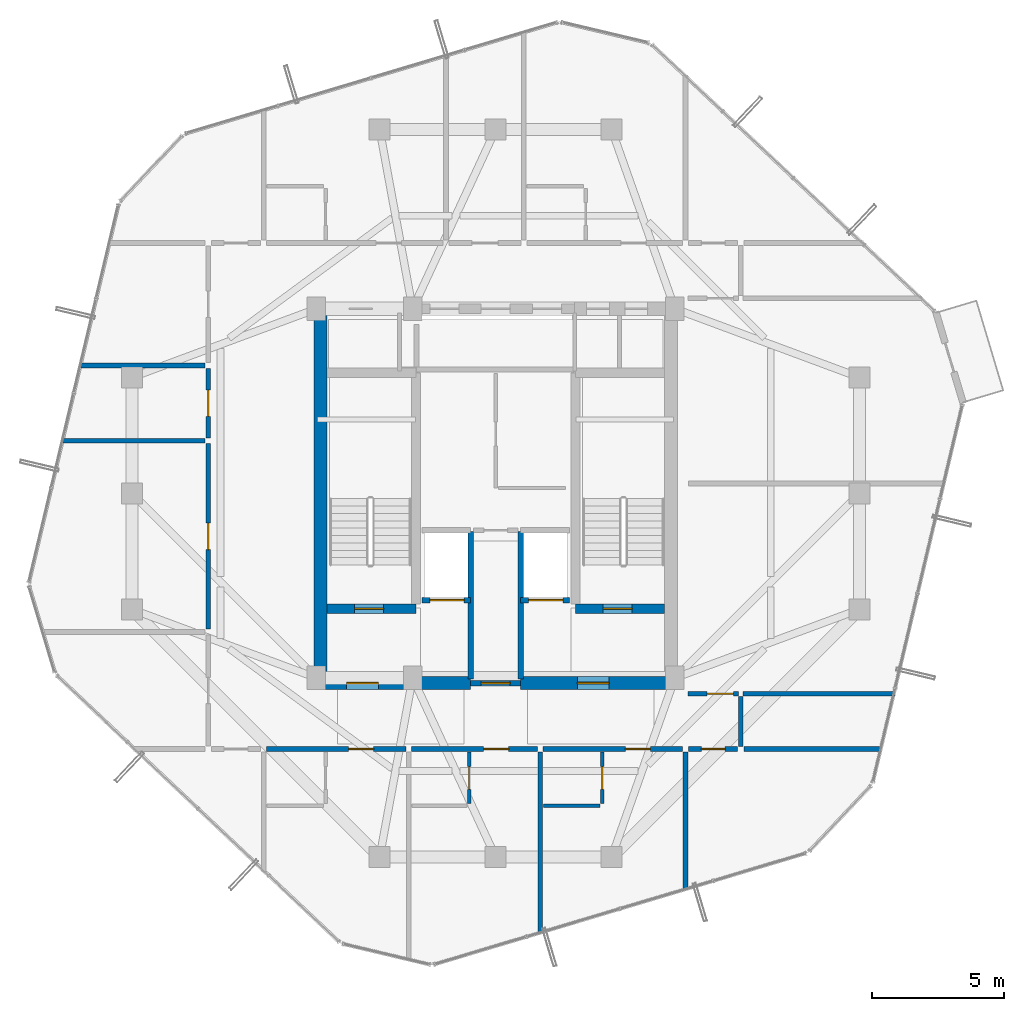
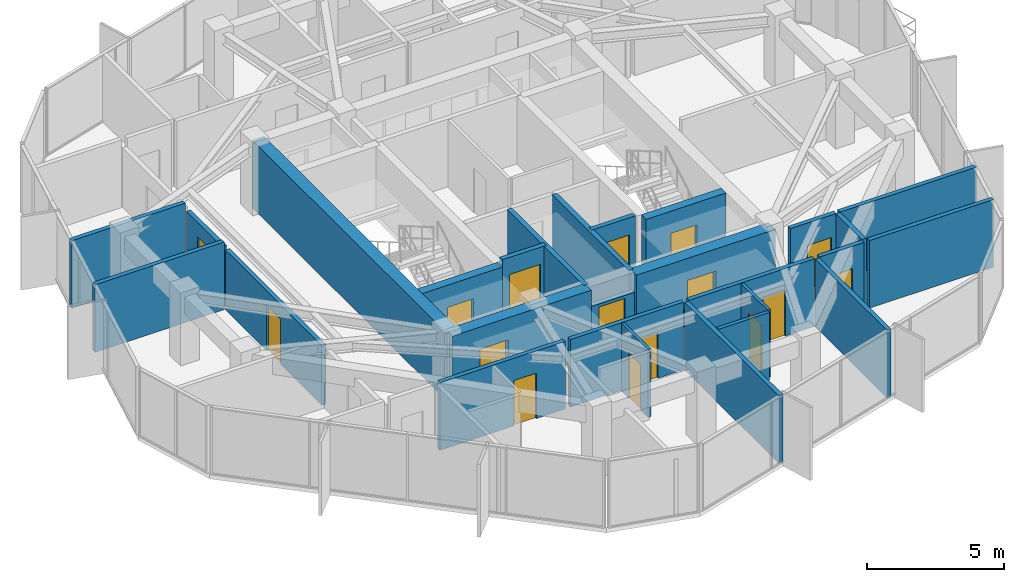
# One storey, part 24 of 28: 27 walls, 16 doors, 16 openings.
"""IFC4 building model written with IfcOpenShell, lengths in metres."""

from ifc_helpers import new_model, si_unit, direction, frame, frame_2d, origin, place, context, subcontext, project, spatial, rectangle, extrude, source, transform, mapped, material, layer, layer_set, type_object, element, fill, save


model = new_model("IFC4")

# Units and contexts
model_context = context("Model", 3, precision=1e-05, world=origin(), true_north=direction((0.0, 1.0)))
body_context = subcontext(model_context, "Body", "Model", "MODEL_VIEW")
ifc_project = project(units=[si_unit("LENGTHUNIT", "METRE"), si_unit("AREAUNIT", "SQUARE_METRE"), si_unit("VOLUMEUNIT", "CUBIC_METRE"), si_unit("PLANEANGLEUNIT", "RADIAN"), si_unit("MASSUNIT", "GRAM", prefix="KILO")], contexts=[model_context])

# Site, building, storey
site_placement = place(None, origin())
site = spatial("IfcSite", under=ifc_project, at=site_placement, CompositionType="ELEMENT")
building_placement = place(site_placement, origin())
building = spatial("IfcBuilding", under=site, at=building_placement, Name="Veraguas Prism Commons", CompositionType="ELEMENT")
storey_placement = place(building_placement, frame((0.0, 0.0, 254.5)))
storey = spatial("IfcBuildingStorey", under=building, at=storey_placement, Name="L72", CompositionType="ELEMENT", Elevation=254.5)

# Wall, opening, door
ifc_material_1 = material(Name="Concrete C50/60", Category="concrete")
ifc_layer_1 = layer(ifc_material_1, 0.35009765625, Name="Core Internal Shear Wall Upper RC 350", Category="concrete")
ifc_layer_set_1 = layer_set([ifc_layer_1], Name="Concrete C50/60")
wall_type_1 = type_object("IfcWallType", Name="Core Internal Shear Wall Upper RC 350", PredefinedType="SHEAR", material=ifc_layer_set_1)
wall_1_placement = place(storey_placement, frame((17.60009765625, 19.625, 0.0), z_axis=(0.0, 0.0, 1.0), x_axis=(1.0, 0.0, 0.0)))
wall_1 = element("IfcWall", 1, at=wall_1_placement, inside=storey, type_object=wall_type_1, Name="Stair ST-01 South Shear Wall L72", PredefinedType="SHEAR", context=body_context, shape_type="SweptSolid", body=[
    extrude(rectangle(XDim=3.375, YDim=0.35009765625, at=frame_2d((1.6875, 0.0))), origin(), (0.0, 0.0, 1.0), 3.014892578125),
])
opening_1_placement = place(wall_1_placement, frame((1.050048828125, 0.0, 0.0)))
opening_1 = element("IfcOpeningElement", 2, at=opening_1_placement, cuts=wall_1, Name="Opening DR-05", PredefinedType="OPENING", context=body_context, shape_type="SweptSolid", body=[
    extrude(rectangle(XDim=1.10009765625, YDim=2.030029296875, at=frame_2d((0.550048828125, 1.01513671875))), frame((0.0, 0.18505859375, 0.0), z_axis=(0.0, -1.0, 0.0), x_axis=(1.0, 0.0, 0.0)), (0.0, 0.0, 1.0), 0.3701171875),
])
ifc_material_2 = material(Name="Steel fire-rated door assembly", Category="steel")
door_type_1 = type_object("IfcDoorType", Name="Protected Stair and Refuge Fire Door 1100x2030", OperationType="NOTDEFINED", PredefinedType="DOOR", material=ifc_material_2)
shared_shape_1 = source(origin(), body_context, "Body", "SweptSolid", [
    extrude(rectangle(XDim=1.10009765625, YDim=2.030029296875, at=frame_2d((0.550048828125, 1.01513671875))), frame((0.0, 0.02490234375, 0.0), z_axis=(0.0, -1.0, 0.0), x_axis=(1.0, 0.0, 0.0)), (0.0, 0.0, 1.0), 0.050048828125),
])
door_1_placement = place(opening_1_placement, origin())
door_1 = element("IfcDoor", 3, at=door_1_placement, inside=storey, type_object=door_type_1, Name="Stair ST-01 Enclosure Door L72", OperationType="SINGLE_SWING_LEFT", OverallHeight=2.030029296875, OverallWidth=1.10009765625, PredefinedType="DOOR", context=body_context, shape_type="MappedRepresentation", body=[
    mapped(shared_shape_1, transform((0.0, 0.0, 0.0), scale=1.0)),
])
fill(opening_1, door_1)

wall_2_placement = place(storey_placement, frame((27.02490234375, 19.625, 0.0), z_axis=(0.0, 0.0, 1.0), x_axis=(1.0, 0.0, 0.0)))
wall_2 = element("IfcWall", 4, at=wall_2_placement, inside=storey, type_object=wall_type_1, Name="Stair ST-02 South Shear Wall L72", PredefinedType="SHEAR", context=body_context, shape_type="SweptSolid", body=[
    extrude(rectangle(XDim=3.375, YDim=0.35009765625, at=frame_2d((1.6875, 0.0))), origin(), (0.0, 0.0, 1.0), 3.014892578125),
])
opening_2_placement = place(wall_2_placement, frame((1.050048828125, 0.0, 0.0)))
opening_2 = element("IfcOpeningElement", 5, at=opening_2_placement, cuts=wall_2, Name="Opening DR-05", PredefinedType="OPENING", context=body_context, shape_type="SweptSolid", body=[
    extrude(rectangle(XDim=1.10009765625, YDim=2.030029296875, at=frame_2d((0.550048828125, 1.01513671875))), frame((0.0, 0.18505859375, 0.0), z_axis=(0.0, -1.0, 0.0), x_axis=(1.0, 0.0, 0.0)), (0.0, 0.0, 1.0), 0.3701171875),
])
door_2_placement = place(opening_2_placement, origin())
door_2 = element("IfcDoor", 6, at=door_2_placement, inside=storey, type_object=door_type_1, Name="Stair ST-02 Enclosure Door L72", OperationType="SINGLE_SWING_RIGHT", OverallHeight=2.030029296875, OverallWidth=1.10009765625, PredefinedType="DOOR", context=body_context, shape_type="MappedRepresentation", body=[
    mapped(shared_shape_1, transform((0.0, 0.0, 0.0), scale=1.0)),
])
fill(opening_2, door_2)

# Wall
ifc_layer_2 = layer(ifc_material_1, 0.5, Name="Core Outer Shear Wall Upper RC 500", Category="concrete")
ifc_layer_set_2 = layer_set([ifc_layer_2], Name="Concrete C50/60")
wall_type_2 = type_object("IfcWallType", Name="Core Outer Shear Wall Upper RC 500", PredefinedType="SHEAR", material=ifc_layer_set_2)
wall_3_placement = place(storey_placement, frame((17.35009765625, 16.800048828125, 0.0), z_axis=(0.0, 0.0, 1.0), x_axis=(0.0, 1.0, 0.0)))
element("IfcWall", 7, at=wall_3_placement, inside=storey, type_object=wall_type_2, Name="Central Core West Shear Wall L72", PredefinedType="SHEAR", context=body_context, shape_type="SweptSolid", body=[
    extrude(rectangle(XDim=14.199951171875, YDim=0.5, at=frame_2d((7.10009765625, 0.0))), origin(), (0.0, 0.0, 1.0), 3.014892578125),
])

# Wall, opening, door
wall_4_placement = place(storey_placement, frame((17.199951171875, 16.800048828125, 0.0), z_axis=(0.0, 0.0, 1.0), x_axis=(1.0, 0.0, 0.0)))
wall_4 = element("IfcWall", 8, at=wall_4_placement, inside=storey, type_object=wall_type_2, Name="Central Core South-West Shear Wall L72", PredefinedType="SHEAR", context=body_context, shape_type="SweptSolid", body=[
    extrude(rectangle(XDim=5.85009765625, YDim=0.5, at=frame_2d((2.925048828125, 0.0))), origin(), (0.0, 0.0, 1.0), 3.014892578125),
])
opening_3_placement = place(wall_4_placement, frame((1.14990234375, 0.0, 0.0)))
opening_3 = element("IfcOpeningElement", 9, at=opening_3_placement, cuts=wall_4, Name="Opening DR-06", PredefinedType="OPENING", context=body_context, shape_type="SweptSolid", body=[
    extrude(rectangle(XDim=1.199951171875, YDim=2.030029296875, at=frame_2d((0.60009765625, 1.01513671875))), frame((0.0, 0.260009765625, 0.0), z_axis=(0.0, -1.0, 0.0), x_axis=(1.0, 0.0, 0.0)), (0.0, 0.0, 1.0), 0.52001953125),
])
door_type_2 = type_object("IfcDoorType", Name="Firefighting Lobby Smoke Door 1200x2030", OperationType="NOTDEFINED", PredefinedType="DOOR", material=ifc_material_2)
shared_shape_2 = source(origin(), body_context, "Body", "SweptSolid", [
    extrude(rectangle(XDim=1.199951171875, YDim=2.030029296875, at=frame_2d((0.60009765625, 1.01513671875))), frame((0.0, 0.02490234375, 0.0), z_axis=(0.0, -1.0, 0.0), x_axis=(1.0, 0.0, 0.0)), (0.0, 0.0, 1.0), 0.050048828125),
])
door_3_placement = place(opening_3_placement, origin())
door_3 = element("IfcDoor", 10, at=door_3_placement, inside=storey, type_object=door_type_2, Name="West FF Lobby Door L72", OperationType="SINGLE_SWING_LEFT", OverallHeight=2.030029296875, OverallWidth=1.199951171875, PredefinedType="DOOR", context=body_context, shape_type="MappedRepresentation", body=[
    mapped(shared_shape_2, transform((0.0, 0.0, 0.0), scale=1.0)),
])
fill(opening_3, door_3)

wall_5_placement = place(storey_placement, frame((24.949951171875, 16.800048828125, 0.0), z_axis=(0.0, 0.0, 1.0), x_axis=(1.0, 0.0, 0.0)))
wall_5 = element("IfcWall", 11, at=wall_5_placement, inside=storey, type_object=wall_type_2, Name="Central Core South-East Shear Wall L72", PredefinedType="SHEAR", context=body_context, shape_type="SweptSolid", body=[
    extrude(rectangle(XDim=5.85009765625, YDim=0.5, at=frame_2d((2.925048828125, 0.0))), origin(), (0.0, 0.0, 1.0), 3.014892578125),
])
opening_4_placement = place(wall_5_placement, frame((2.14990234375, 0.0, 0.0)))
opening_4 = element("IfcOpeningElement", 12, at=opening_4_placement, cuts=wall_5, Name="Opening DR-06", PredefinedType="OPENING", context=body_context, shape_type="SweptSolid", body=[
    extrude(rectangle(XDim=1.199951171875, YDim=2.030029296875, at=frame_2d((0.60009765625, 1.01513671875))), frame((0.0, 0.260009765625, 0.0), z_axis=(0.0, -1.0, 0.0), x_axis=(1.0, 0.0, 0.0)), (0.0, 0.0, 1.0), 0.52001953125),
])
door_4_placement = place(opening_4_placement, origin())
door_4 = element("IfcDoor", 13, at=door_4_placement, inside=storey, type_object=door_type_2, Name="East FF Lobby Door L72", OperationType="SINGLE_SWING_LEFT", OverallHeight=2.030029296875, OverallWidth=1.199951171875, PredefinedType="DOOR", context=body_context, shape_type="MappedRepresentation", body=[
    mapped(shared_shape_2, transform((0.0, 0.0, 0.0), scale=1.0)),
])
fill(opening_4, door_4)

# Wall
ifc_material_3 = material(Name="Autoclaved aerated masonry block 10 MPa", Category="masonry")
ifc_layer_3 = layer(ifc_material_3, 0.179931640625, Name="Corridor and Inter-Tenancy Partition 180", Category="masonry")
ifc_layer_set_3 = layer_set([ifc_layer_3], Name="Autoclaved aerated masonry block 10 MPa")
wall_type_3 = type_object("IfcWallType", Name="Corridor and Inter-Tenancy Partition 180", PredefinedType="PARTITIONING", material=ifc_layer_set_3)
wall_6_placement = place(storey_placement, frame((31.199951171875, 14.179931640625, 0.0), z_axis=(0.0, 0.0, 1.0), x_axis=(0.0, -1.0, 0.0)))
element("IfcWall", 14, at=wall_6_placement, inside=storey, type_object=wall_type_3, Name="WL-L72-PT002", PredefinedType="PARTITIONING", context=body_context, shape_type="SweptSolid", body=[
    extrude(rectangle(XDim=5.232177734375, YDim=0.179931640625, at=frame_2d((2.6162109375, 0.0))), origin(), (0.0, 0.0, 1.0), 3.014892578125),
])

# Wall, opening, door
wall_7_placement = place(storey_placement, frame((15.31005859375, 14.300048828125, 0.0), z_axis=(0.0, 0.0, 1.0), x_axis=(1.0, 0.0, 0.0)))
wall_7 = element("IfcWall", 15, at=wall_7_placement, inside=storey, type_object=wall_type_3, Name="WL-L72-PT003", PredefinedType="PARTITIONING", context=body_context, shape_type="SweptSolid", body=[
    extrude(rectangle(XDim=5.284912109375, YDim=0.179931640625, at=frame_2d((2.642578125, 0.0))), origin(), (0.0, 0.0, 1.0), 3.014892578125),
])
opening_5_placement = place(wall_7_placement, frame((3.11181640625, 0.0, 0.0)))
opening_5 = element("IfcOpeningElement", 16, at=opening_5_placement, cuts=wall_7, Name="Opening DR-01", PredefinedType="OPENING", context=body_context, shape_type="SweptSolid", body=[
    extrude(rectangle(XDim=0.949951171875, YDim=2.02001953125, at=frame_2d((0.47509765625, 1.010009765625))), frame((0.0, 0.099853515625, 0.0), z_axis=(0.0, -1.0, 0.0), x_axis=(1.0, 0.0, 0.0)), (0.0, 0.0, 1.0), 0.199951171875),
])
ifc_material_4 = material(Name="Anodised aluminium EN AW-6063 T6", Category="aluminium")
door_type_3 = type_object("IfcDoorType", Name="Apartment Entrance Fire Door 950x2020", OperationType="NOTDEFINED", PredefinedType="DOOR", material=ifc_material_4)
shared_shape_3 = source(origin(), body_context, "Body", "SweptSolid", [
    extrude(rectangle(XDim=0.949951171875, YDim=2.02001953125, at=frame_2d((0.47509765625, 1.010009765625))), frame((0.0, 0.02490234375, 0.0), z_axis=(0.0, -1.0, 0.0), x_axis=(1.0, 0.0, 0.0)), (0.0, 0.0, 1.0), 0.050048828125),
])
door_5_placement = place(opening_5_placement, origin())
door_5 = element("IfcDoor", 17, at=door_5_placement, inside=storey, type_object=door_type_3, Name="Studio 72A Entrance Door", OperationType="SINGLE_SWING_LEFT", OverallHeight=2.02001953125, OverallWidth=0.949951171875, PredefinedType="DOOR", context=body_context, shape_type="MappedRepresentation", body=[
    mapped(shared_shape_3, transform((0.0, 0.0, 0.0), scale=1.0)),
])
fill(opening_5, door_5)

wall_8_placement = place(storey_placement, frame((20.81494140625, 14.300048828125, 0.0), z_axis=(0.0, 0.0, 1.0), x_axis=(1.0, 0.0, 0.0)))
wall_8 = element("IfcWall", 18, at=wall_8_placement, inside=storey, type_object=wall_type_3, Name="WL-L72-PT007", PredefinedType="PARTITIONING", context=body_context, shape_type="SweptSolid", body=[
    extrude(rectangle(XDim=4.77001953125, YDim=0.179931640625, at=frame_2d((2.385009765625, 0.0))), origin(), (0.0, 0.0, 1.0), 3.014892578125),
])
opening_6_placement = place(wall_8_placement, frame((2.730712890625, 0.0, 0.0)))
opening_6 = element("IfcOpeningElement", 19, at=opening_6_placement, cuts=wall_8, Name="Opening DR-01", PredefinedType="OPENING", context=body_context, shape_type="SweptSolid", body=[
    extrude(rectangle(XDim=0.949951171875, YDim=2.02001953125, at=frame_2d((0.47509765625, 1.010009765625))), frame((0.0, 0.099853515625, 0.0), z_axis=(0.0, -1.0, 0.0), x_axis=(1.0, 0.0, 0.0)), (0.0, 0.0, 1.0), 0.199951171875),
])
door_6_placement = place(opening_6_placement, origin())
door_6 = element("IfcDoor", 20, at=door_6_placement, inside=storey, type_object=door_type_3, Name="Studio 72B Entrance Door", OperationType="SINGLE_SWING_LEFT", OverallHeight=2.02001953125, OverallWidth=0.949951171875, PredefinedType="DOOR", context=body_context, shape_type="MappedRepresentation", body=[
    mapped(shared_shape_3, transform((0.0, 0.0, 0.0), scale=1.0)),
])
fill(opening_6, door_6)

# Wall
wall_9_placement = place(storey_placement, frame((25.695068359375, 14.179931640625, 0.0), z_axis=(0.0, 0.0, 1.0), x_axis=(0.0, -1.0, 0.0)))
element("IfcWall", 21, at=wall_9_placement, inside=storey, type_object=wall_type_3, Name="WL-L72-PT010", PredefinedType="PARTITIONING", context=body_context, shape_type="SweptSolid", body=[
    extrude(rectangle(XDim=6.879638671875, YDim=0.179931640625, at=frame_2d((3.43994140625, 0.0))), origin(), (0.0, 0.0, 1.0), 3.014892578125),
])

# Wall, opening, door
wall_10_placement = place(storey_placement, frame((25.804931640625, 14.300048828125, 0.0), z_axis=(0.0, 0.0, 1.0), x_axis=(1.0, 0.0, 0.0)))
wall_10 = element("IfcWall", 22, at=wall_10_placement, inside=storey, type_object=wall_type_3, Name="WL-L72-PT011", PredefinedType="PARTITIONING", context=body_context, shape_type="SweptSolid", body=[
    extrude(rectangle(XDim=5.28515625, YDim=0.179931640625, at=frame_2d((2.642578125, 0.0))), origin(), (0.0, 0.0, 1.0), 3.014892578125),
])
opening_7_placement = place(wall_10_placement, frame((3.11181640625, 0.0, 0.0)))
opening_7 = element("IfcOpeningElement", 23, at=opening_7_placement, cuts=wall_10, Name="Opening DR-01", PredefinedType="OPENING", context=body_context, shape_type="SweptSolid", body=[
    extrude(rectangle(XDim=0.949951171875, YDim=2.02001953125, at=frame_2d((0.47509765625, 1.010009765625))), frame((0.0, 0.099853515625, 0.0), z_axis=(0.0, -1.0, 0.0), x_axis=(1.0, 0.0, 0.0)), (0.0, 0.0, 1.0), 0.199951171875),
])
door_7_placement = place(opening_7_placement, origin())
door_7 = element("IfcDoor", 24, at=door_7_placement, inside=storey, type_object=door_type_3, Name="Studio 72C Entrance Door", OperationType="SINGLE_SWING_LEFT", OverallHeight=2.02001953125, OverallWidth=0.949951171875, PredefinedType="DOOR", context=body_context, shape_type="MappedRepresentation", body=[
    mapped(shared_shape_3, transform((0.0, 0.0, 0.0), scale=1.0)),
])
fill(opening_7, door_7)

wall_11_placement = place(storey_placement, frame((13.10009765625, 18.85400390625, 0.0), z_axis=(0.0, 0.0, 1.0), x_axis=(0.0, 1.0, 0.0)))
wall_11 = element("IfcWall", 25, at=wall_11_placement, inside=storey, type_object=wall_type_3, Name="WL-L72-PT028", PredefinedType="PARTITIONING", context=body_context, shape_type="SweptSolid", body=[
    extrude(rectangle(XDim=7.030029296875, YDim=0.179931640625, at=frame_2d((3.51513671875, 0.0))), origin(), (0.0, 0.0, 1.0), 2.662109375),
])
opening_8_placement = place(wall_11_placement, frame((3.014892578125, 0.0, 0.0)))
opening_8 = element("IfcOpeningElement", 26, at=opening_8_placement, cuts=wall_11, Name="Opening DR-13", PredefinedType="OPENING", context=body_context, shape_type="SweptSolid", body=[
    extrude(rectangle(XDim=1.0, YDim=2.010009765625, at=frame_2d((0.5, 1.0048828125))), frame((0.0, 0.099853515625, 0.0), z_axis=(0.0, -1.0, 0.0), x_axis=(1.0, 0.0, 0.0)), (0.0, 0.0, 1.0), 0.199951171875),
])
door_type_4 = type_object("IfcDoorType", Name="Core Accessible WC and Clinic Fire Door 1000x2010", OperationType="NOTDEFINED", PredefinedType="DOOR", material=ifc_material_2)
shared_shape_4 = source(origin(), body_context, "Body", "SweptSolid", [
    extrude(rectangle(XDim=1.0, YDim=2.010009765625, at=frame_2d((0.5, 1.0048828125))), frame((0.0, 0.02490234375, 0.0), z_axis=(0.0, -1.0, 0.0), x_axis=(1.0, 0.0, 0.0)), (0.0, 0.0, 1.0), 0.050048828125),
])
door_8_placement = place(opening_8_placement, origin())
door_8 = element("IfcDoor", 27, at=door_8_placement, inside=storey, type_object=door_type_4, Name="Co-op Store W Door", OperationType="SINGLE_SWING_LEFT", OverallHeight=2.010009765625, OverallWidth=1.0, PredefinedType="DOOR", context=body_context, shape_type="MappedRepresentation", body=[
    mapped(shared_shape_4, transform((0.0, 0.0, 0.0), scale=1.0)),
])
fill(opening_8, door_8)

# Wall
wall_12_placement = place(storey_placement, frame((12.97998046875, 25.993896484375, 0.0), z_axis=(0.0, 0.0, 1.0), x_axis=(-1.0, 0.0, 0.0)))
element("IfcWall", 28, at=wall_12_placement, inside=storey, type_object=wall_type_3, Name="WL-L72-PT030", PredefinedType="PARTITIONING", context=body_context, shape_type="SweptSolid", body=[
    extrude(rectangle(XDim=5.44873046875, YDim=0.179931640625, at=frame_2d((2.724365234375, 0.0))), origin(), (0.0, 0.0, 1.0), 3.014892578125),
])

# Wall, opening, door
wall_13_placement = place(storey_placement, frame((13.10009765625, 26.10400390625, 0.0), z_axis=(0.0, 0.0, 1.0), x_axis=(0.0, 1.0, 0.0)))
wall_13 = element("IfcWall", 29, at=wall_13_placement, inside=storey, type_object=wall_type_3, Name="WL-L72-PT031", PredefinedType="PARTITIONING", context=body_context, shape_type="SweptSolid", body=[
    extrude(rectangle(XDim=2.632080078125, YDim=0.179931640625, at=frame_2d((1.31591796875, 0.0))), origin(), (0.0, 0.0, 1.0), 2.662109375),
])
opening_9_placement = place(wall_13_placement, frame((0.81591796875, 0.0, 0.0)))
opening_9 = element("IfcOpeningElement", 30, at=opening_9_placement, cuts=wall_13, Name="Opening DR-13", PredefinedType="OPENING", context=body_context, shape_type="SweptSolid", body=[
    extrude(rectangle(XDim=1.0, YDim=2.010009765625, at=frame_2d((0.5, 1.0048828125))), frame((0.0, 0.099853515625, 0.0), z_axis=(0.0, -1.0, 0.0), x_axis=(1.0, 0.0, 0.0)), (0.0, 0.0, 1.0), 0.199951171875),
])
door_9_placement = place(opening_9_placement, origin())
door_9 = element("IfcDoor", 31, at=door_9_placement, inside=storey, type_object=door_type_4, Name="Youth Homework Study Room Door", OperationType="SINGLE_SWING_RIGHT", OverallHeight=2.010009765625, OverallWidth=1.0, PredefinedType="DOOR", context=body_context, shape_type="MappedRepresentation", body=[
    mapped(shared_shape_4, transform((0.0, 0.0, 0.0), scale=1.0)),
])
fill(opening_9, door_9)

# Walls
wall_14_placement = place(storey_placement, frame((12.97998046875, 28.845947265625, 0.0), z_axis=(0.0, 0.0, 1.0), x_axis=(-1.0, 0.0, 0.0)))
element("IfcWall", 32, at=wall_14_placement, inside=storey, type_object=wall_type_3, Name="WL-L72-PT033", PredefinedType="PARTITIONING", context=body_context, shape_type="SweptSolid", body=[
    extrude(rectangle(XDim=4.7724609375, YDim=0.179931640625, at=frame_2d((2.38623046875, 0.0))), origin(), (0.0, 0.0, 1.0), 3.014892578125),
])
wall_15_placement = place(storey_placement, frame((33.300048828125, 14.39990234375, 0.0), z_axis=(0.0, 0.0, 1.0), x_axis=(0.0, 1.0, 0.0)))
element("IfcWall", 33, at=wall_15_placement, inside=storey, type_object=wall_type_3, Name="WL-L72-PT035", PredefinedType="PARTITIONING", context=body_context, shape_type="SweptSolid", body=[
    extrude(rectangle(XDim=1.900146484375, YDim=0.179931640625, at=frame_2d((0.9501953125, 0.0))), origin(), (0.0, 0.0, 1.0), 3.014892578125),
])

# Wall, opening, door
wall_16_placement = place(storey_placement, frame((31.300048828125, 16.39990234375, 0.0), z_axis=(0.0, 0.0, 1.0), x_axis=(1.0, 0.0, 0.0)))
wall_16 = element("IfcWall", 34, at=wall_16_placement, inside=storey, type_object=wall_type_3, Name="WL-L72-PT037", PredefinedType="PARTITIONING", context=body_context, shape_type="SweptSolid", body=[
    extrude(rectangle(XDim=1.919921875, YDim=0.179931640625, at=frame_2d((0.9599609375, 0.0))), origin(), (0.0, 0.0, 1.0), 3.014892578125),
])
opening_10_placement = place(wall_16_placement, frame((0.719970703125, 0.0, 0.0)))
opening_10 = element("IfcOpeningElement", 35, at=opening_10_placement, cuts=wall_16, Name="Opening DR-13", PredefinedType="OPENING", context=body_context, shape_type="SweptSolid", body=[
    extrude(rectangle(XDim=1.0, YDim=2.010009765625, at=frame_2d((0.5, 1.0048828125))), frame((0.0, 0.099853515625, 0.0), z_axis=(0.0, -1.0, 0.0), x_axis=(1.0, 0.0, 0.0)), (0.0, 0.0, 1.0), 0.199951171875),
])
door_10_placement = place(opening_10_placement, origin())
door_10 = element("IfcDoor", 36, at=door_10_placement, inside=storey, type_object=door_type_4, Name="Panorama Lounge Door L72", OperationType="SINGLE_SWING_RIGHT", OverallHeight=2.010009765625, OverallWidth=1.0, PredefinedType="DOOR", context=body_context, shape_type="MappedRepresentation", body=[
    mapped(shared_shape_4, transform((0.0, 0.0, 0.0), scale=1.0)),
])
fill(opening_10, door_10)

# Walls
wall_17_placement = place(storey_placement, frame((33.3798828125, 16.39990234375, 0.0), z_axis=(0.0, 0.0, 1.0), x_axis=(1.0, 0.0, 0.0)))
element("IfcWall", 37, at=wall_17_placement, inside=storey, type_object=wall_type_3, Name="WL-L72-PT038", PredefinedType="PARTITIONING", context=body_context, shape_type="SweptSolid", body=[
    extrude(rectangle(XDim=5.759521484375, YDim=0.179931640625, at=frame_2d((2.8798828125, 0.0))), origin(), (0.0, 0.0, 1.0), 3.014892578125),
])
wall_18_placement = place(storey_placement, frame((33.419921875, 14.300048828125, 0.0), z_axis=(0.0, 0.0, 1.0), x_axis=(1.0, 0.0, 0.0)))
element("IfcWall", 38, at=wall_18_placement, inside=storey, type_object=wall_type_3, Name="WL-L72-PT042", PredefinedType="PARTITIONING", context=body_context, shape_type="SweptSolid", body=[
    extrude(rectangle(XDim=5.221435546875, YDim=0.179931640625, at=frame_2d((2.61083984375, 0.0))), origin(), (0.0, 0.0, 1.0), 3.014892578125),
])

# Wall, opening, door
wall_19_placement = place(storey_placement, frame((31.320068359375, 14.300048828125, 0.0), z_axis=(0.0, 0.0, 1.0), x_axis=(1.0, 0.0, 0.0)))
wall_19 = element("IfcWall", 39, at=wall_19_placement, inside=storey, type_object=wall_type_3, Name="WL-L72-PT043", PredefinedType="PARTITIONING", context=body_context, shape_type="SweptSolid", body=[
    extrude(rectangle(XDim=1.85986328125, YDim=0.179931640625, at=frame_2d((0.929931640625, 0.0))), origin(), (0.0, 0.0, 1.0), 3.014892578125),
])
opening_11_placement = place(wall_19_placement, frame((0.47998046875, 0.0, 0.0)))
opening_11 = element("IfcOpeningElement", 40, at=opening_11_placement, cuts=wall_19, Name="Opening DR-14", PredefinedType="OPENING", context=body_context, shape_type="SweptSolid", body=[
    extrude(rectangle(XDim=0.89990234375, YDim=2.010009765625, at=frame_2d((0.449951171875, 1.0048828125))), frame((0.0, 0.099853515625, 0.0), z_axis=(0.0, -1.0, 0.0), x_axis=(1.0, 0.0, 0.0)), (0.0, 0.0, 1.0), 0.199951171875),
])
door_type_5 = type_object("IfcDoorType", Name="Core Service Room Fire Door 900x2010", OperationType="NOTDEFINED", PredefinedType="DOOR", material=ifc_material_2)
shared_shape_5 = source(origin(), body_context, "Body", "SweptSolid", [
    extrude(rectangle(XDim=0.89990234375, YDim=2.010009765625, at=frame_2d((0.449951171875, 1.0048828125))), frame((0.0, 0.02490234375, 0.0), z_axis=(0.0, -1.0, 0.0), x_axis=(1.0, 0.0, 0.0)), (0.0, 0.0, 1.0), 0.050048828125),
])
door_11_placement = place(opening_11_placement, origin())
door_11 = element("IfcDoor", 41, at=door_11_placement, inside=storey, type_object=door_type_5, Name="Corner Study SE Door", OperationType="SINGLE_SWING_LEFT", OverallHeight=2.010009765625, OverallWidth=0.89990234375, PredefinedType="DOOR", context=body_context, shape_type="MappedRepresentation", body=[
    mapped(shared_shape_5, transform((0.0, 0.0, 0.0), scale=1.0)),
])
fill(opening_11, door_11)

ifc_material_5 = material(Name="Lightweight acoustic gypsum board")
ifc_layer_4 = layer(ifc_material_5, 0.125, Name="Internal Apartment Room Partition 125")
ifc_layer_set_4 = layer_set([ifc_layer_4], Name="Lightweight acoustic gypsum board")
wall_type_4 = type_object("IfcWallType", Name="Internal Apartment Room Partition 125", PredefinedType="PARTITIONING", material=ifc_layer_set_4)
wall_20_placement = place(storey_placement, frame((23.0, 14.179931640625, 0.0), z_axis=(0.0, 0.0, 1.0), x_axis=(0.0, -1.0, 0.0)))
wall_20 = element("IfcWall", 42, at=wall_20_placement, inside=storey, type_object=wall_type_4, Name="WL-L72-PT008", PredefinedType="PARTITIONING", context=body_context, shape_type="SweptSolid", body=[
    extrude(rectangle(XDim=1.949951171875, YDim=0.125, at=frame_2d((0.97509765625, 0.0))), origin(), (0.0, 0.0, 1.0), 3.014892578125),
])
opening_12_placement = place(wall_20_placement, frame((0.544921875, 0.0, 0.0)))
opening_12 = element("IfcOpeningElement", 43, at=opening_12_placement, cuts=wall_20, Name="Opening DR-03", PredefinedType="OPENING", context=body_context, shape_type="SweptSolid", body=[
    extrude(rectangle(XDim=0.860107421875, YDim=2.010009765625, at=frame_2d((0.43017578125, 1.0048828125))), frame((0.0, 0.072509765625, 0.0), z_axis=(0.0, -1.0, 0.0), x_axis=(1.0, 0.0, 0.0)), (0.0, 0.0, 1.0), 0.14501953125),
])
ifc_material_6 = material(Name="Timber moisture-resistant leaf", Category="wood")
door_type_6 = type_object("IfcDoorType", Name="Internal Bathroom Door 860x2010", OperationType="NOTDEFINED", PredefinedType="DOOR", material=ifc_material_6)
shared_shape_6 = source(origin(), body_context, "Body", "SweptSolid", [
    extrude(rectangle(XDim=0.860107421875, YDim=2.010009765625, at=frame_2d((0.43017578125, 1.0048828125))), frame((0.0, 0.02490234375, 0.0), z_axis=(0.0, -1.0, 0.0), x_axis=(1.0, 0.0, 0.0)), (0.0, 0.0, 1.0), 0.050048828125),
])
door_12_placement = place(opening_12_placement, origin())
door_12 = element("IfcDoor", 44, at=door_12_placement, inside=storey, type_object=door_type_6, Name="Studio 72B Bathroom Door", OperationType="SINGLE_SWING_RIGHT", OverallHeight=2.010009765625, OverallWidth=0.860107421875, PredefinedType="DOOR", context=body_context, shape_type="MappedRepresentation", body=[
    mapped(shared_shape_6, transform((0.0, 0.0, 0.0), scale=1.0)),
])
fill(opening_12, door_12)

wall_21_placement = place(storey_placement, frame((28.044921875, 14.179931640625, 0.0), z_axis=(0.0, 0.0, 1.0), x_axis=(0.0, -1.0, 0.0)))
wall_21 = element("IfcWall", 45, at=wall_21_placement, inside=storey, type_object=wall_type_4, Name="WL-L72-PT012", PredefinedType="PARTITIONING", context=body_context, shape_type="SweptSolid", body=[
    extrude(rectangle(XDim=1.949951171875, YDim=0.125, at=frame_2d((0.97509765625, 0.0))), origin(), (0.0, 0.0, 1.0), 3.014892578125),
])
opening_13_placement = place(wall_21_placement, frame((0.544921875, 0.0, 0.0)))
opening_13 = element("IfcOpeningElement", 46, at=opening_13_placement, cuts=wall_21, Name="Opening DR-03", PredefinedType="OPENING", context=body_context, shape_type="SweptSolid", body=[
    extrude(rectangle(XDim=0.860107421875, YDim=2.010009765625, at=frame_2d((0.43017578125, 1.0048828125))), frame((0.0, 0.072509765625, 0.0), z_axis=(0.0, -1.0, 0.0), x_axis=(1.0, 0.0, 0.0)), (0.0, 0.0, 1.0), 0.14501953125),
])
door_13_placement = place(opening_13_placement, origin())
door_13 = element("IfcDoor", 47, at=door_13_placement, inside=storey, type_object=door_type_6, Name="Studio 72C Bathroom Door", OperationType="SINGLE_SWING_RIGHT", OverallHeight=2.010009765625, OverallWidth=0.860107421875, PredefinedType="DOOR", context=body_context, shape_type="MappedRepresentation", body=[
    mapped(shared_shape_6, transform((0.0, 0.0, 0.0), scale=1.0)),
])
fill(opening_13, door_13)

ifc_layer_5 = layer(ifc_material_3, 0.199951171875, Name="Rated Shaft and Lobby Block Wall 200", Category="masonry")
ifc_layer_set_5 = layer_set([ifc_layer_5], Name="Autoclaved aerated masonry block 10 MPa")
wall_type_5 = type_object("IfcWallType", Name="Rated Shaft and Lobby Block Wall 200", PredefinedType="SOLIDWALL", material=ifc_layer_set_5)
wall_22_placement = place(storey_placement, frame((23.050048828125, 16.800048828125, 0.0), z_axis=(0.0, 0.0, 1.0), x_axis=(1.0, 0.0, 0.0)))
wall_22 = element("IfcWall", 48, at=wall_22_placement, inside=storey, type_object=wall_type_5, Name="Central Core Lobby Entrance Wall L72", PredefinedType="SOLIDWALL", context=body_context, shape_type="SweptSolid", body=[
    extrude(rectangle(XDim=1.89990234375, YDim=0.199951171875, at=frame_2d((0.949951171875, 0.0))), origin(), (0.0, 0.0, 1.0), 2.1650390625),
])
opening_14_placement = place(wall_22_placement, frame((0.39990234375, 0.0, 0.0)))
opening_14 = element("IfcOpeningElement", 49, at=opening_14_placement, cuts=wall_22, Name="Opening DR-05", PredefinedType="OPENING", context=body_context, shape_type="SweptSolid", body=[
    extrude(rectangle(XDim=1.10009765625, YDim=2.030029296875, at=frame_2d((0.550048828125, 1.01513671875))), frame((0.0, 0.10986328125, 0.0), z_axis=(0.0, -1.0, 0.0), x_axis=(1.0, 0.0, 0.0)), (0.0, 0.0, 1.0), 0.219970703125),
])
door_14_placement = place(opening_14_placement, origin())
door_14 = element("IfcDoor", 50, at=door_14_placement, inside=storey, type_object=door_type_1, Name="Central Lobby Door L72", OperationType="SINGLE_SWING_RIGHT", OverallHeight=2.030029296875, OverallWidth=1.10009765625, PredefinedType="DOOR", context=body_context, shape_type="MappedRepresentation", body=[
    mapped(shared_shape_1, transform((0.0, 0.0, 0.0), scale=1.0)),
])
fill(opening_14, door_14)

wall_23_placement = place(storey_placement, frame((21.199951171875, 19.949951171875, 0.0), z_axis=(0.0, 0.0, 1.0), x_axis=(1.0, 0.0, 0.0)))
wall_23 = element("IfcWall", 51, at=wall_23_placement, inside=storey, type_object=wall_type_5, Name="Firefighting Lift FFL-1 Front Wall L72", PredefinedType="SOLIDWALL", context=body_context, shape_type="SweptSolid", body=[
    extrude(rectangle(XDim=1.85009765625, YDim=0.199951171875, at=frame_2d((0.925048828125, 0.0))), origin(), (0.0, 0.0, 1.0), 3.014892578125),
])
opening_15_placement = place(wall_23_placement, frame((0.300048828125, 0.0, 0.0)))
opening_15 = element("IfcOpeningElement", 52, at=opening_15_placement, cuts=wall_23, Name="Opening LD-02", PredefinedType="OPENING", context=body_context, shape_type="SweptSolid", body=[
    extrude(rectangle(XDim=1.300048828125, YDim=2.25, at=frame_2d((0.64990234375, 1.125))), frame((0.0, 0.10986328125, 0.0), z_axis=(0.0, -1.0, 0.0), x_axis=(1.0, 0.0, 0.0)), (0.0, 0.0, 1.0), 0.219970703125),
])
ifc_material_7 = material(Name="Stainless steel AISI 316", Category="steel")
door_type_7 = type_object("IfcDoorType", Name="Firefighting Lift Sliding Landing Door 1300x2250", OperationType="NOTDEFINED", PredefinedType="DOOR", material=ifc_material_7)
shared_shape_7 = source(origin(), body_context, "Body", "SweptSolid", [
    extrude(rectangle(XDim=1.300048828125, YDim=2.25, at=frame_2d((0.64990234375, 1.125))), frame((0.0, 0.02490234375, 0.0), z_axis=(0.0, -1.0, 0.0), x_axis=(1.0, 0.0, 0.0)), (0.0, 0.0, 1.0), 0.050048828125),
])
door_15_placement = place(opening_15_placement, origin())
door_15 = element("IfcDoor", 53, at=door_15_placement, inside=storey, type_object=door_type_7, Name="Firefighting Lift FFL-1 Landing Door L72", OperationType="SLIDING_TO_LEFT", OverallHeight=2.25, OverallWidth=1.300048828125, PredefinedType="DOOR", context=body_context, shape_type="MappedRepresentation", body=[
    mapped(shared_shape_7, transform((0.0, 0.0, 0.0), scale=1.0)),
])
fill(opening_15, door_15)

wall_24_placement = place(storey_placement, frame((24.949951171875, 19.949951171875, 0.0), z_axis=(0.0, 0.0, 1.0), x_axis=(1.0, 0.0, 0.0)))
wall_24 = element("IfcWall", 54, at=wall_24_placement, inside=storey, type_object=wall_type_5, Name="Firefighting Lift FFL-2 Front Wall L72", PredefinedType="SOLIDWALL", context=body_context, shape_type="SweptSolid", body=[
    extrude(rectangle(XDim=1.85009765625, YDim=0.199951171875, at=frame_2d((0.925048828125, 0.0))), origin(), (0.0, 0.0, 1.0), 3.014892578125),
])
opening_16_placement = place(wall_24_placement, frame((0.300048828125, 0.0, 0.0)))
opening_16 = element("IfcOpeningElement", 55, at=opening_16_placement, cuts=wall_24, Name="Opening LD-02", PredefinedType="OPENING", context=body_context, shape_type="SweptSolid", body=[
    extrude(rectangle(XDim=1.300048828125, YDim=2.25, at=frame_2d((0.64990234375, 1.125))), frame((0.0, 0.10986328125, 0.0), z_axis=(0.0, -1.0, 0.0), x_axis=(1.0, 0.0, 0.0)), (0.0, 0.0, 1.0), 0.219970703125),
])
door_16_placement = place(opening_16_placement, origin())
door_16 = element("IfcDoor", 56, at=door_16_placement, inside=storey, type_object=door_type_7, Name="Firefighting Lift FFL-2 Front Wall L72", OperationType="SLIDING_TO_LEFT", OverallHeight=2.25, OverallWidth=1.300048828125, PredefinedType="DOOR", context=body_context, shape_type="MappedRepresentation", body=[
    mapped(shared_shape_7, transform((0.0, 0.0, 0.0), scale=1.0)),
])
fill(opening_16, door_16)

# Walls
for number, where, z_axis, x_axis, name in (
    (57, (23.050048828125, 16.949951171875, 0.0), (0.0, 0.0, 1.0), (0.0, 1.0, 0.0), "West FF Lobby Divider Wall L72"),
    (58, (24.949951171875, 16.949951171875, 0.0), (0.0, 0.0, 1.0), (0.0, 1.0, 0.0), "East FF Lobby Divider Wall L72"),
):
    element("IfcWall", number, at=place(storey_placement, frame(where, z_axis=z_axis, x_axis=x_axis)), inside=storey, type_object=wall_type_5, Name=name, PredefinedType="SOLIDWALL", context=body_context, shape_type="SweptSolid", body=[
        extrude(rectangle(XDim=5.60009765625, YDim=0.199951171875, at=frame_2d((2.800048828125, 0.0))), origin(), (0.0, 0.0, 1.0), 3.014892578125),
    ])
ifc_layer_6 = layer(ifc_material_5, 0.14990234375, Name="Wet Room and Clinic Acoustic Partition 150")
ifc_layer_set_6 = layer_set([ifc_layer_6], Name="Lightweight acoustic gypsum board")
wall_type_6 = type_object("IfcWallType", Name="Wet Room and Clinic Acoustic Partition 150", PredefinedType="PARTITIONING", material=ifc_layer_set_6)
wall_25_placement = place(storey_placement, frame((25.81494140625, 12.14990234375, 0.0), z_axis=(0.0, 0.0, 1.0), x_axis=(1.0, 0.0, 0.0)))
element("IfcWall", 59, at=wall_25_placement, inside=storey, type_object=wall_type_6, Name="WL-L72-PT013", PredefinedType="PARTITIONING", context=body_context, shape_type="SweptSolid", body=[
    extrude(rectangle(XDim=2.150146484375, YDim=0.14990234375, at=frame_2d((1.0751953125, 0.0))), origin(), (0.0, 0.0, 1.0), 3.014892578125),
])

save(model, "model.ifc")
